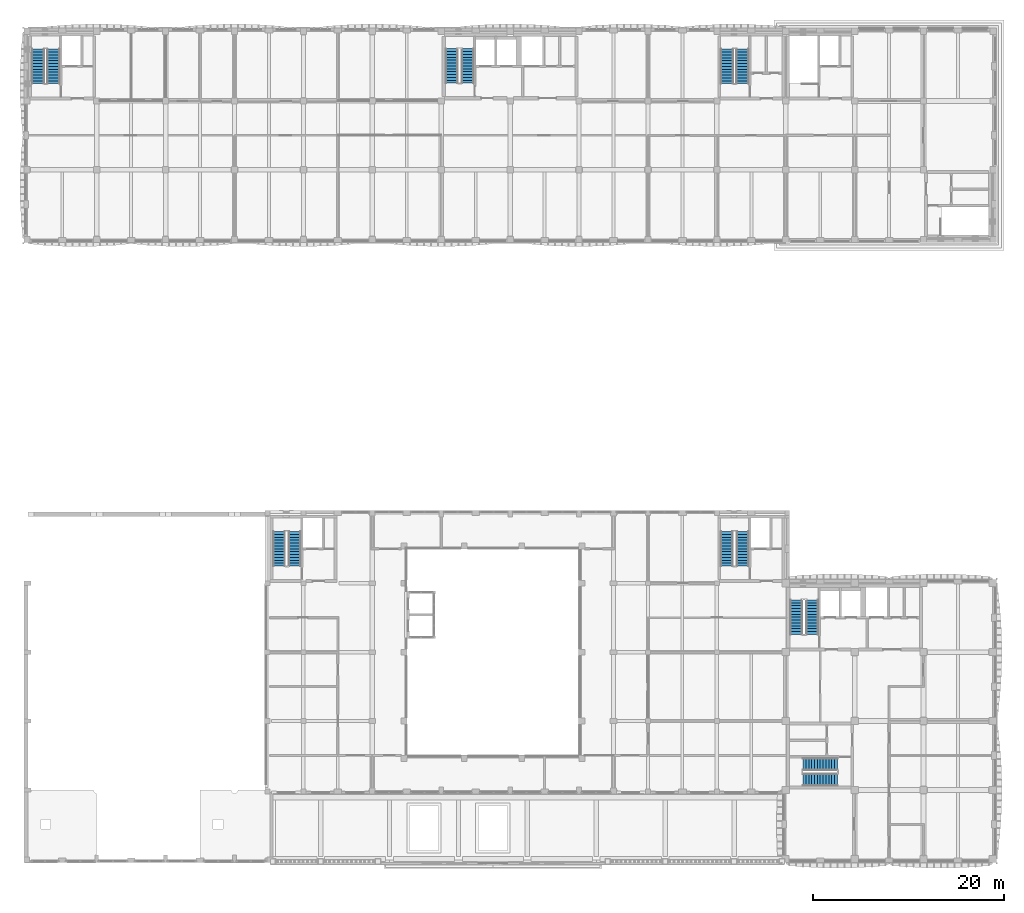
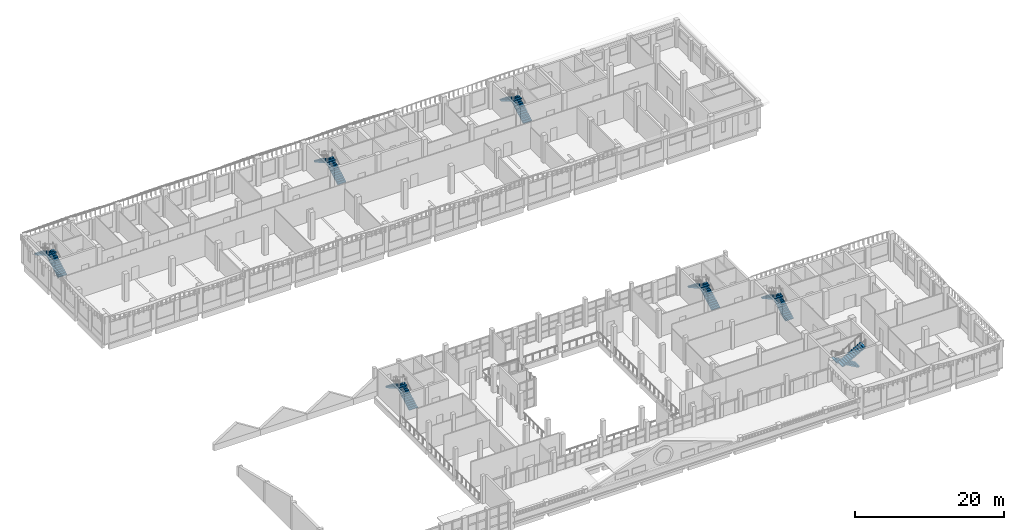
# One storey, part 33 of 58: 14 stair flights, 7 elements without a shape of their own.
"""IFC4 building model written with IfcOpenShell, lengths in metres."""

from ifc_helpers import new_model, si_unit, direction, frame, origin, place, context, subcontext, project, spatial, polyline, outline, extrude, material, type_object, element, aggregate, save


model = new_model("IFC4")

# Units and contexts
model_context = context("Model", 3, precision=1e-05, world=origin(), true_north=direction((0.0, 1.0)))
body_context = subcontext(model_context, "Body", "Model", "MODEL_VIEW")
ifc_project = project(units=[si_unit("LENGTHUNIT", "METRE"), si_unit("AREAUNIT", "SQUARE_METRE"), si_unit("VOLUMEUNIT", "CUBIC_METRE"), si_unit("PLANEANGLEUNIT", "RADIAN"), si_unit("MASSUNIT", "GRAM", prefix="KILO")], contexts=[model_context])

# Site, building, storey
site_placement = place(None, origin())
site = spatial("IfcSite", under=ifc_project, at=site_placement, CompositionType="ELEMENT")
building_placement = place(site_placement, origin())
building = spatial("IfcBuilding", under=site, at=building_placement, Name="Ussher Court Research Institute", CompositionType="ELEMENT")
storey_placement = place(building_placement, frame((0.0, 0.0, 9.89990234375)))
storey = spatial("IfcBuildingStorey", under=building, at=storey_placement, Name="L02", CompositionType="ELEMENT", Elevation=9.89990234375)

# Stair, stair flights
ifc_material_1 = material(Name="Concrete C35/45", Category="concrete")
stair_type_1 = type_object("IfcStairType", Name="Core stair 26 risers 173 mm x 300 going 1280 wide", PredefinedType="HALF_TURN_STAIR", material=ifc_material_1)
stair_1_placement = place(storey_placement, origin())
stair_1 = element("IfcStair", 1, at=stair_1_placement, inside=storey, type_object=stair_type_1, Name="L02 Stair D2", PredefinedType="HALF_TURN_STAIR")
ifc_material_2 = material(Name="Concrete C35/45", Category="concrete")
stair_flight_type_1 = type_object("IfcStairFlightType", Name="Stair flight 13 risers 1280 RC", PredefinedType="STRAIGHT", material=ifc_material_2)
stair_flight_1_placement = place(storey_placement, frame((48.9599609375, 85.050048828125, 0.0), z_axis=(0.0, 0.0, 1.0), x_axis=(0.0, 1.0, 0.0)))
stair_flight_1 = element("IfcStairFlight", 2, at=stair_flight_1_placement, type_object=stair_flight_type_1, Name="D2 flight 1", NumberOfRisers=13, NumberOfTreads=12, PredefinedType="STRAIGHT", RiserHeight=0.173076923, TreadLength=0.3, context=body_context, shape_type="SweptSolid", body=[
    extrude(outline(polyline([(0.0, 0.0), (0.0, 0.173095703125), (0.300048828125, 0.173095703125), (0.300048828125, 0.34619140625), (0.60009765625, 0.34619140625), (0.60009765625, 0.519287109375), (0.89990234375, 0.519287109375), (0.89990234375, 0.6923828125), (1.199951171875, 0.6923828125), (1.199951171875, 0.865478515625), (1.5, 0.865478515625), (1.5, 1.03857421875), (1.800048828125, 1.03857421875), (1.800048828125, 1.21142578125), (2.10009765625, 1.21142578125), (2.10009765625, 1.384521484375), (2.39990234375, 1.384521484375), (2.39990234375, 1.5576171875), (2.699951171875, 1.5576171875), (2.699951171875, 1.730712890625), (3.0, 1.730712890625), (3.0, 1.90380859375), (3.300048828125, 1.90380859375), (3.300048828125, 2.076904296875), (3.60009765625, 2.076904296875), (3.60009765625, 2.25), (3.60009765625, 1.90380859375), (0.300048828125, 0.0), (0.0, 0.0)])), frame((0.0, 0.64013671875, 0.0), z_axis=(0.0, -1.0, 0.0), x_axis=(1.0, 0.0, 0.0)), (0.0, 0.0, 1.0), 1.280029296875),
])
stair_flight_2_placement = place(storey_placement, frame((47.2900390625, 88.64990234375, 2.25), z_axis=(0.0, 0.0, 1.0), x_axis=(0.0, -1.0, 0.0)))
stair_flight_2 = element("IfcStairFlight", 3, at=stair_flight_2_placement, type_object=stair_flight_type_1, Name="D2 flight 2", NumberOfRisers=13, NumberOfTreads=12, PredefinedType="STRAIGHT", RiserHeight=0.173076923, TreadLength=0.3, context=body_context, shape_type="SweptSolid", body=[
    extrude(outline(polyline([(0.0, 0.0), (0.0, 0.173095703125), (0.300048828125, 0.173095703125), (0.300048828125, 0.34619140625), (0.60009765625, 0.34619140625), (0.60009765625, 0.519287109375), (0.89990234375, 0.519287109375), (0.89990234375, 0.6923828125), (1.199951171875, 0.6923828125), (1.199951171875, 0.865478515625), (1.5, 0.865478515625), (1.5, 1.03857421875), (1.800048828125, 1.03857421875), (1.800048828125, 1.21142578125), (2.10009765625, 1.21142578125), (2.10009765625, 1.384521484375), (2.39990234375, 1.384521484375), (2.39990234375, 1.5576171875), (2.699951171875, 1.5576171875), (2.699951171875, 1.730712890625), (3.0, 1.730712890625), (3.0, 1.90380859375), (3.300048828125, 1.90380859375), (3.300048828125, 2.076904296875), (3.60009765625, 2.076904296875), (3.60009765625, 2.25), (3.60009765625, 1.90380859375), (0.300048828125, 0.0), (0.0, 0.0)])), frame((0.0, 0.64013671875, 0.0), z_axis=(0.0, -1.0, 0.0), x_axis=(1.0, 0.0, 0.0)), (0.0, 0.0, 1.0), 1.280029296875),
])
aggregate(stair_1, [stair_flight_1, stair_flight_2])

stair_2_placement = place(storey_placement, origin())
stair_2 = element("IfcStair", 4, at=stair_2_placement, inside=storey, type_object=stair_type_1, Name="L02 Stair T1", PredefinedType="HALF_TURN_STAIR")
stair_flight_3_placement = place(storey_placement, frame((84.9599609375, 27.449951171875, 0.0), z_axis=(0.0, 0.0, 1.0), x_axis=(0.0, 1.0, 0.0)))
stair_flight_3 = element("IfcStairFlight", 5, at=stair_flight_3_placement, type_object=stair_flight_type_1, Name="T1 flight 1", NumberOfRisers=13, NumberOfTreads=12, PredefinedType="STRAIGHT", RiserHeight=0.173076923, TreadLength=0.3, context=body_context, shape_type="SweptSolid", body=[
    extrude(outline(polyline([(0.0, 0.0), (0.0, 0.173095703125), (0.300048828125, 0.173095703125), (0.300048828125, 0.34619140625), (0.60009765625, 0.34619140625), (0.60009765625, 0.519287109375), (0.89990234375, 0.519287109375), (0.89990234375, 0.6923828125), (1.199951171875, 0.6923828125), (1.199951171875, 0.865478515625), (1.5, 0.865478515625), (1.5, 1.03857421875), (1.800048828125, 1.03857421875), (1.800048828125, 1.21142578125), (2.10009765625, 1.21142578125), (2.10009765625, 1.384521484375), (2.39990234375, 1.384521484375), (2.39990234375, 1.5576171875), (2.699951171875, 1.5576171875), (2.699951171875, 1.730712890625), (3.0, 1.730712890625), (3.0, 1.90380859375), (3.300048828125, 1.90380859375), (3.300048828125, 2.076904296875), (3.60009765625, 2.076904296875), (3.60009765625, 2.25), (3.60009765625, 1.90380859375), (0.300048828125, 0.0), (0.0, 0.0)])), frame((0.0, 0.64013671875, 0.0), z_axis=(0.0, -1.0, 0.0), x_axis=(1.0, 0.0, 0.0)), (0.0, 0.0, 1.0), 1.280029296875),
])
stair_flight_4_placement = place(storey_placement, frame((83.2900390625, 31.050048828125, 2.25), z_axis=(0.0, 0.0, 1.0), x_axis=(0.0, -1.0, 0.0)))
stair_flight_4 = element("IfcStairFlight", 6, at=stair_flight_4_placement, type_object=stair_flight_type_1, Name="T1 flight 2", NumberOfRisers=13, NumberOfTreads=12, PredefinedType="STRAIGHT", RiserHeight=0.173076923, TreadLength=0.3, context=body_context, shape_type="SweptSolid", body=[
    extrude(outline(polyline([(0.0, 0.0), (0.0, 0.173095703125), (0.300048828125, 0.173095703125), (0.300048828125, 0.34619140625), (0.60009765625, 0.34619140625), (0.60009765625, 0.519287109375), (0.89990234375, 0.519287109375), (0.89990234375, 0.6923828125), (1.199951171875, 0.6923828125), (1.199951171875, 0.865478515625), (1.5, 0.865478515625), (1.5, 1.03857421875), (1.800048828125, 1.03857421875), (1.800048828125, 1.21142578125), (2.10009765625, 1.21142578125), (2.10009765625, 1.384521484375), (2.39990234375, 1.384521484375), (2.39990234375, 1.5576171875), (2.699951171875, 1.5576171875), (2.699951171875, 1.730712890625), (3.0, 1.730712890625), (3.0, 1.90380859375), (3.300048828125, 1.90380859375), (3.300048828125, 2.076904296875), (3.60009765625, 2.076904296875), (3.60009765625, 2.25), (3.60009765625, 1.90380859375), (0.300048828125, 0.0), (0.0, 0.0)])), frame((0.0, 0.64013671875, 0.0), z_axis=(0.0, -1.0, 0.0), x_axis=(1.0, 0.0, 0.0)), (0.0, 0.0, 1.0), 1.280029296875),
])
aggregate(stair_2, [stair_flight_3, stair_flight_4])

ifc_material_3 = material(Name="Concrete C35/45", Category="concrete")
stair_type_2 = type_object("IfcStairType", Name="Core stair 26 risers 173 mm x 300 going 1300 wide", PredefinedType="HALF_TURN_STAIR", material=ifc_material_3)
stair_3_placement = place(storey_placement, origin())
stair_3 = element("IfcStair", 7, at=stair_3_placement, inside=storey, type_object=stair_type_2, Name="L02 Stair E1", PredefinedType="HALF_TURN_STAIR")
ifc_material_4 = material(Name="Concrete C35/45", Category="concrete")
stair_flight_type_2 = type_object("IfcStairFlightType", Name="Stair flight 13 risers 1300 RC", PredefinedType="STRAIGHT", material=ifc_material_4)
stair_flight_5_placement = place(storey_placement, frame((77.699951171875, 34.60009765625, 0.0), z_axis=(0.0, 0.0, 1.0), x_axis=(0.0, 1.0, 0.0)))
stair_flight_5 = element("IfcStairFlight", 8, at=stair_flight_5_placement, type_object=stair_flight_type_2, Name="E1 flight 1", NumberOfRisers=13, NumberOfTreads=12, PredefinedType="STRAIGHT", RiserHeight=0.173076923, TreadLength=0.3, context=body_context, shape_type="SweptSolid", body=[
    extrude(outline(polyline([(0.0, 0.0), (0.0, 0.173095703125), (0.300048828125, 0.173095703125), (0.300048828125, 0.34619140625), (0.60009765625, 0.34619140625), (0.60009765625, 0.519287109375), (0.89990234375, 0.519287109375), (0.89990234375, 0.6923828125), (1.199951171875, 0.6923828125), (1.199951171875, 0.865478515625), (1.5, 0.865478515625), (1.5, 1.03857421875), (1.800048828125, 1.03857421875), (1.800048828125, 1.21142578125), (2.10009765625, 1.21142578125), (2.10009765625, 1.384521484375), (2.39990234375, 1.384521484375), (2.39990234375, 1.5576171875), (2.699951171875, 1.5576171875), (2.699951171875, 1.730712890625), (3.0, 1.730712890625), (3.0, 1.90380859375), (3.300048828125, 1.90380859375), (3.300048828125, 2.076904296875), (3.60009765625, 2.076904296875), (3.60009765625, 2.25), (3.60009765625, 1.90380859375), (0.300048828125, 0.0), (0.0, 0.0)])), frame((0.0, 0.64990234375, 0.0), z_axis=(0.0, -1.0, 0.0), x_axis=(1.0, 0.0, 0.0)), (0.0, 0.0, 1.0), 1.300048828125),
])
stair_flight_6_placement = place(storey_placement, frame((76.050048828125, 38.199951171875, 2.25), z_axis=(0.0, 0.0, 1.0), x_axis=(0.0, -1.0, 0.0)))
stair_flight_6 = element("IfcStairFlight", 9, at=stair_flight_6_placement, type_object=stair_flight_type_2, Name="E1 flight 2", NumberOfRisers=13, NumberOfTreads=12, PredefinedType="STRAIGHT", RiserHeight=0.173076923, TreadLength=0.3, context=body_context, shape_type="SweptSolid", body=[
    extrude(outline(polyline([(0.0, 0.0), (0.0, 0.173095703125), (0.300048828125, 0.173095703125), (0.300048828125, 0.34619140625), (0.60009765625, 0.34619140625), (0.60009765625, 0.519287109375), (0.89990234375, 0.519287109375), (0.89990234375, 0.6923828125), (1.199951171875, 0.6923828125), (1.199951171875, 0.865478515625), (1.5, 0.865478515625), (1.5, 1.03857421875), (1.800048828125, 1.03857421875), (1.800048828125, 1.21142578125), (2.10009765625, 1.21142578125), (2.10009765625, 1.384521484375), (2.39990234375, 1.384521484375), (2.39990234375, 1.5576171875), (2.699951171875, 1.5576171875), (2.699951171875, 1.730712890625), (3.0, 1.730712890625), (3.0, 1.90380859375), (3.300048828125, 1.90380859375), (3.300048828125, 2.076904296875), (3.60009765625, 2.076904296875), (3.60009765625, 2.25), (3.60009765625, 1.90380859375), (0.300048828125, 0.0), (0.0, 0.0)])), frame((0.0, 0.64990234375, 0.0), z_axis=(0.0, -1.0, 0.0), x_axis=(1.0, 0.0, 0.0)), (0.0, 0.0, 1.0), 1.300048828125),
])
aggregate(stair_3, [stair_flight_5, stair_flight_6])

stair_4_placement = place(storey_placement, origin())
stair_4 = element("IfcStair", 10, at=stair_4_placement, inside=storey, type_object=stair_type_2, Name="L02 Stair T2", PredefinedType="HALF_TURN_STAIR")
stair_flight_7_placement = place(storey_placement, frame((87.60009765625, 13.89990234375, 0.0), z_axis=(0.0, 0.0, 1.0), x_axis=(-1.0, 0.0, 0.0)))
stair_flight_7 = element("IfcStairFlight", 11, at=stair_flight_7_placement, type_object=stair_flight_type_2, Name="T2 flight 1", NumberOfRisers=13, NumberOfTreads=12, PredefinedType="STRAIGHT", RiserHeight=0.173076923, TreadLength=0.3, context=body_context, shape_type="SweptSolid", body=[
    extrude(outline(polyline([(0.0, 0.0), (0.0, 0.173095703125), (0.300048828125, 0.173095703125), (0.300048828125, 0.34619140625), (0.60009765625, 0.34619140625), (0.60009765625, 0.519287109375), (0.89990234375, 0.519287109375), (0.89990234375, 0.6923828125), (1.199951171875, 0.6923828125), (1.199951171875, 0.865478515625), (1.5, 0.865478515625), (1.5, 1.03857421875), (1.800048828125, 1.03857421875), (1.800048828125, 1.21142578125), (2.10009765625, 1.21142578125), (2.10009765625, 1.384521484375), (2.39990234375, 1.384521484375), (2.39990234375, 1.5576171875), (2.699951171875, 1.5576171875), (2.699951171875, 1.730712890625), (3.0, 1.730712890625), (3.0, 1.90380859375), (3.300048828125, 1.90380859375), (3.300048828125, 2.076904296875), (3.60009765625, 2.076904296875), (3.60009765625, 2.25), (3.60009765625, 1.90380859375), (0.300048828125, 0.0), (0.0, 0.0)])), frame((0.0, 0.64990234375, 0.0), z_axis=(0.0, -1.0, 0.0), x_axis=(1.0, 0.0, 0.0)), (0.0, 0.0, 1.0), 1.300048828125),
])
stair_flight_8_placement = place(storey_placement, frame((84.0, 12.25, 2.25), z_axis=(0.0, 0.0, 1.0), x_axis=(1.0, 0.0, 0.0)))
stair_flight_8 = element("IfcStairFlight", 12, at=stair_flight_8_placement, type_object=stair_flight_type_2, Name="T2 flight 2", NumberOfRisers=13, NumberOfTreads=12, PredefinedType="STRAIGHT", RiserHeight=0.173076923, TreadLength=0.3, context=body_context, shape_type="SweptSolid", body=[
    extrude(outline(polyline([(0.0, 0.0), (0.0, 0.173095703125), (0.300048828125, 0.173095703125), (0.300048828125, 0.34619140625), (0.60009765625, 0.34619140625), (0.60009765625, 0.519287109375), (0.89990234375, 0.519287109375), (0.89990234375, 0.6923828125), (1.199951171875, 0.6923828125), (1.199951171875, 0.865478515625), (1.5, 0.865478515625), (1.5, 1.03857421875), (1.800048828125, 1.03857421875), (1.800048828125, 1.21142578125), (2.10009765625, 1.21142578125), (2.10009765625, 1.384521484375), (2.39990234375, 1.384521484375), (2.39990234375, 1.5576171875), (2.699951171875, 1.5576171875), (2.699951171875, 1.730712890625), (3.0, 1.730712890625), (3.0, 1.90380859375), (3.300048828125, 1.90380859375), (3.300048828125, 2.076904296875), (3.60009765625, 2.076904296875), (3.60009765625, 2.25), (3.60009765625, 1.90380859375), (0.300048828125, 0.0), (0.0, 0.0)])), frame((0.0, 0.64990234375, 0.0), z_axis=(0.0, -1.0, 0.0), x_axis=(1.0, 0.0, 0.0)), (0.0, 0.0, 1.0), 1.300048828125),
])
aggregate(stair_4, [stair_flight_7, stair_flight_8])

stair_5_placement = place(storey_placement, origin())
stair_5 = element("IfcStair", 13, at=stair_5_placement, inside=storey, type_object=stair_type_2, Name="L02 Stair W1", PredefinedType="HALF_TURN_STAIR")
stair_flight_9_placement = place(storey_placement, frame((30.89990234375, 34.60009765625, 0.0), z_axis=(0.0, 0.0, 1.0), x_axis=(0.0, 1.0, 0.0)))
stair_flight_9 = element("IfcStairFlight", 14, at=stair_flight_9_placement, type_object=stair_flight_type_2, Name="W1 flight 1", NumberOfRisers=13, NumberOfTreads=12, PredefinedType="STRAIGHT", RiserHeight=0.173076923, TreadLength=0.3, context=body_context, shape_type="SweptSolid", body=[
    extrude(outline(polyline([(0.0, 0.0), (0.0, 0.173095703125), (0.300048828125, 0.173095703125), (0.300048828125, 0.34619140625), (0.60009765625, 0.34619140625), (0.60009765625, 0.519287109375), (0.89990234375, 0.519287109375), (0.89990234375, 0.6923828125), (1.199951171875, 0.6923828125), (1.199951171875, 0.865478515625), (1.5, 0.865478515625), (1.5, 1.03857421875), (1.800048828125, 1.03857421875), (1.800048828125, 1.21142578125), (2.10009765625, 1.21142578125), (2.10009765625, 1.384521484375), (2.39990234375, 1.384521484375), (2.39990234375, 1.5576171875), (2.699951171875, 1.5576171875), (2.699951171875, 1.730712890625), (3.0, 1.730712890625), (3.0, 1.90380859375), (3.300048828125, 1.90380859375), (3.300048828125, 2.076904296875), (3.60009765625, 2.076904296875), (3.60009765625, 2.25), (3.60009765625, 1.90380859375), (0.300048828125, 0.0), (0.0, 0.0)])), frame((0.0, 0.64990234375, 0.0), z_axis=(0.0, -1.0, 0.0), x_axis=(1.0, 0.0, 0.0)), (0.0, 0.0, 1.0), 1.300048828125),
])
stair_flight_10_placement = place(storey_placement, frame((29.25, 38.199951171875, 2.25), z_axis=(0.0, 0.0, 1.0), x_axis=(0.0, -1.0, 0.0)))
stair_flight_10 = element("IfcStairFlight", 15, at=stair_flight_10_placement, type_object=stair_flight_type_2, Name="W1 flight 2", NumberOfRisers=13, NumberOfTreads=12, PredefinedType="STRAIGHT", RiserHeight=0.173076923, TreadLength=0.3, context=body_context, shape_type="SweptSolid", body=[
    extrude(outline(polyline([(0.0, 0.0), (0.0, 0.173095703125), (0.300048828125, 0.173095703125), (0.300048828125, 0.34619140625), (0.60009765625, 0.34619140625), (0.60009765625, 0.519287109375), (0.89990234375, 0.519287109375), (0.89990234375, 0.6923828125), (1.199951171875, 0.6923828125), (1.199951171875, 0.865478515625), (1.5, 0.865478515625), (1.5, 1.03857421875), (1.800048828125, 1.03857421875), (1.800048828125, 1.21142578125), (2.10009765625, 1.21142578125), (2.10009765625, 1.384521484375), (2.39990234375, 1.384521484375), (2.39990234375, 1.5576171875), (2.699951171875, 1.5576171875), (2.699951171875, 1.730712890625), (3.0, 1.730712890625), (3.0, 1.90380859375), (3.300048828125, 1.90380859375), (3.300048828125, 2.076904296875), (3.60009765625, 2.076904296875), (3.60009765625, 2.25), (3.60009765625, 1.90380859375), (0.300048828125, 0.0), (0.0, 0.0)])), frame((0.0, 0.64990234375, 0.0), z_axis=(0.0, -1.0, 0.0), x_axis=(1.0, 0.0, 0.0)), (0.0, 0.0, 1.0), 1.300048828125),
])
aggregate(stair_5, [stair_flight_9, stair_flight_10])

ifc_material_5 = material(Name="Concrete C35/45", Category="concrete")
stair_type_3 = type_object("IfcStairType", Name="Core stair 26 risers 173 mm x 300 going 1350 wide", PredefinedType="HALF_TURN_STAIR", material=ifc_material_5)
stair_6_placement = place(storey_placement, origin())
stair_6 = element("IfcStair", 16, at=stair_6_placement, inside=storey, type_object=stair_type_3, Name="L02 Stair D1", PredefinedType="HALF_TURN_STAIR")
ifc_material_6 = material(Name="Concrete C35/45", Category="concrete")
stair_flight_type_3 = type_object("IfcStairFlightType", Name="Stair flight 13 risers 1350 RC", PredefinedType="STRAIGHT", material=ifc_material_6)
stair_flight_11_placement = place(storey_placement, frame((5.675048828125, 85.0, 0.0), z_axis=(0.0, 0.0, 1.0), x_axis=(0.0, 1.0, 0.0)))
stair_flight_11 = element("IfcStairFlight", 17, at=stair_flight_11_placement, type_object=stair_flight_type_3, Name="D1 flight 1", NumberOfRisers=13, NumberOfTreads=12, PredefinedType="STRAIGHT", RiserHeight=0.173076923, TreadLength=0.3, context=body_context, shape_type="SweptSolid", body=[
    extrude(outline(polyline([(0.0, 0.0), (0.0, 0.173095703125), (0.300048828125, 0.173095703125), (0.300048828125, 0.34619140625), (0.60009765625, 0.34619140625), (0.60009765625, 0.519287109375), (0.89990234375, 0.519287109375), (0.89990234375, 0.6923828125), (1.199951171875, 0.6923828125), (1.199951171875, 0.865478515625), (1.5, 0.865478515625), (1.5, 1.03857421875), (1.800048828125, 1.03857421875), (1.800048828125, 1.21142578125), (2.10009765625, 1.21142578125), (2.10009765625, 1.384521484375), (2.39990234375, 1.384521484375), (2.39990234375, 1.5576171875), (2.699951171875, 1.5576171875), (2.699951171875, 1.730712890625), (3.0, 1.730712890625), (3.0, 1.90380859375), (3.300048828125, 1.90380859375), (3.300048828125, 2.076904296875), (3.60009765625, 2.076904296875), (3.60009765625, 2.25), (3.60009765625, 1.90380859375), (0.300048828125, 0.0), (0.0, 0.0)])), frame((0.0, 0.675048828125, 0.0), z_axis=(0.0, -1.0, 0.0), x_axis=(1.0, 0.0, 0.0)), (0.0, 0.0, 1.0), 1.35009765625),
])
stair_flight_12_placement = place(storey_placement, frame((4.074951171875, 88.60009765625, 2.25), z_axis=(0.0, 0.0, 1.0), x_axis=(0.0, -1.0, 0.0)))
stair_flight_12 = element("IfcStairFlight", 18, at=stair_flight_12_placement, type_object=stair_flight_type_3, Name="D1 flight 2", NumberOfRisers=13, NumberOfTreads=12, PredefinedType="STRAIGHT", RiserHeight=0.173076923, TreadLength=0.3, context=body_context, shape_type="SweptSolid", body=[
    extrude(outline(polyline([(0.0, 0.0), (0.0, 0.173095703125), (0.300048828125, 0.173095703125), (0.300048828125, 0.34619140625), (0.60009765625, 0.34619140625), (0.60009765625, 0.519287109375), (0.89990234375, 0.519287109375), (0.89990234375, 0.6923828125), (1.199951171875, 0.6923828125), (1.199951171875, 0.865478515625), (1.5, 0.865478515625), (1.5, 1.03857421875), (1.800048828125, 1.03857421875), (1.800048828125, 1.21142578125), (2.10009765625, 1.21142578125), (2.10009765625, 1.384521484375), (2.39990234375, 1.384521484375), (2.39990234375, 1.5576171875), (2.699951171875, 1.5576171875), (2.699951171875, 1.730712890625), (3.0, 1.730712890625), (3.0, 1.90380859375), (3.300048828125, 1.90380859375), (3.300048828125, 2.076904296875), (3.60009765625, 2.076904296875), (3.60009765625, 2.25), (3.60009765625, 1.90380859375), (0.300048828125, 0.0), (0.0, 0.0)])), frame((0.0, 0.675048828125, 0.0), z_axis=(0.0, -1.0, 0.0), x_axis=(1.0, 0.0, 0.0)), (0.0, 0.0, 1.0), 1.35009765625),
])
aggregate(stair_6, [stair_flight_11, stair_flight_12])

stair_7_placement = place(storey_placement, origin())
stair_7 = element("IfcStair", 19, at=stair_7_placement, inside=storey, type_object=stair_type_3, Name="L02 Stair D3", PredefinedType="HALF_TURN_STAIR")
stair_flight_13_placement = place(storey_placement, frame((77.675048828125, 85.0, 0.0), z_axis=(0.0, 0.0, 1.0), x_axis=(0.0, 1.0, 0.0)))
stair_flight_13 = element("IfcStairFlight", 20, at=stair_flight_13_placement, type_object=stair_flight_type_3, Name="D3 flight 1", NumberOfRisers=13, NumberOfTreads=12, PredefinedType="STRAIGHT", RiserHeight=0.173076923, TreadLength=0.3, context=body_context, shape_type="SweptSolid", body=[
    extrude(outline(polyline([(0.0, 0.0), (0.0, 0.173095703125), (0.300048828125, 0.173095703125), (0.300048828125, 0.34619140625), (0.60009765625, 0.34619140625), (0.60009765625, 0.519287109375), (0.89990234375, 0.519287109375), (0.89990234375, 0.6923828125), (1.199951171875, 0.6923828125), (1.199951171875, 0.865478515625), (1.5, 0.865478515625), (1.5, 1.03857421875), (1.800048828125, 1.03857421875), (1.800048828125, 1.21142578125), (2.10009765625, 1.21142578125), (2.10009765625, 1.384521484375), (2.39990234375, 1.384521484375), (2.39990234375, 1.5576171875), (2.699951171875, 1.5576171875), (2.699951171875, 1.730712890625), (3.0, 1.730712890625), (3.0, 1.90380859375), (3.300048828125, 1.90380859375), (3.300048828125, 2.076904296875), (3.60009765625, 2.076904296875), (3.60009765625, 2.25), (3.60009765625, 1.90380859375), (0.300048828125, 0.0), (0.0, 0.0)])), frame((0.0, 0.675048828125, 0.0), z_axis=(0.0, -1.0, 0.0), x_axis=(1.0, 0.0, 0.0)), (0.0, 0.0, 1.0), 1.35009765625),
])
stair_flight_14_placement = place(storey_placement, frame((76.074951171875, 88.60009765625, 2.25), z_axis=(0.0, 0.0, 1.0), x_axis=(0.0, -1.0, 0.0)))
stair_flight_14 = element("IfcStairFlight", 21, at=stair_flight_14_placement, type_object=stair_flight_type_3, Name="D3 flight 2", NumberOfRisers=13, NumberOfTreads=12, PredefinedType="STRAIGHT", RiserHeight=0.173076923, TreadLength=0.3, context=body_context, shape_type="SweptSolid", body=[
    extrude(outline(polyline([(0.0, 0.0), (0.0, 0.173095703125), (0.300048828125, 0.173095703125), (0.300048828125, 0.34619140625), (0.60009765625, 0.34619140625), (0.60009765625, 0.519287109375), (0.89990234375, 0.519287109375), (0.89990234375, 0.6923828125), (1.199951171875, 0.6923828125), (1.199951171875, 0.865478515625), (1.5, 0.865478515625), (1.5, 1.03857421875), (1.800048828125, 1.03857421875), (1.800048828125, 1.21142578125), (2.10009765625, 1.21142578125), (2.10009765625, 1.384521484375), (2.39990234375, 1.384521484375), (2.39990234375, 1.5576171875), (2.699951171875, 1.5576171875), (2.699951171875, 1.730712890625), (3.0, 1.730712890625), (3.0, 1.90380859375), (3.300048828125, 1.90380859375), (3.300048828125, 2.076904296875), (3.60009765625, 2.076904296875), (3.60009765625, 2.25), (3.60009765625, 1.90380859375), (0.300048828125, 0.0), (0.0, 0.0)])), frame((0.0, 0.675048828125, 0.0), z_axis=(0.0, -1.0, 0.0), x_axis=(1.0, 0.0, 0.0)), (0.0, 0.0, 1.0), 1.35009765625),
])
aggregate(stair_7, [stair_flight_13, stair_flight_14])

save(model, "model.ifc")
